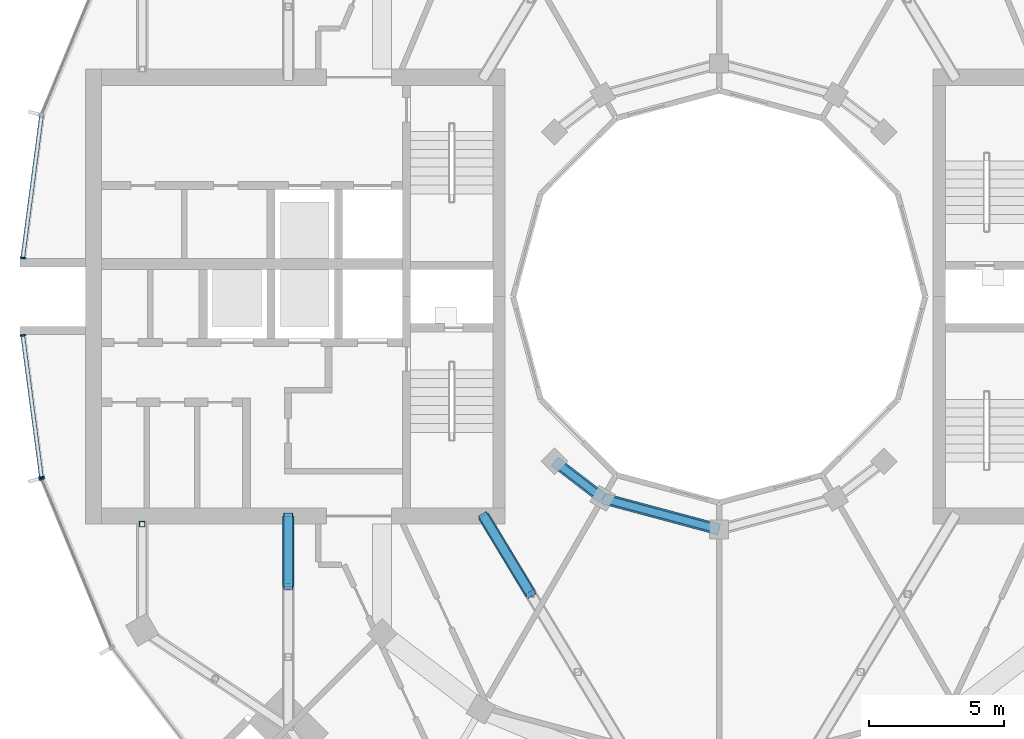
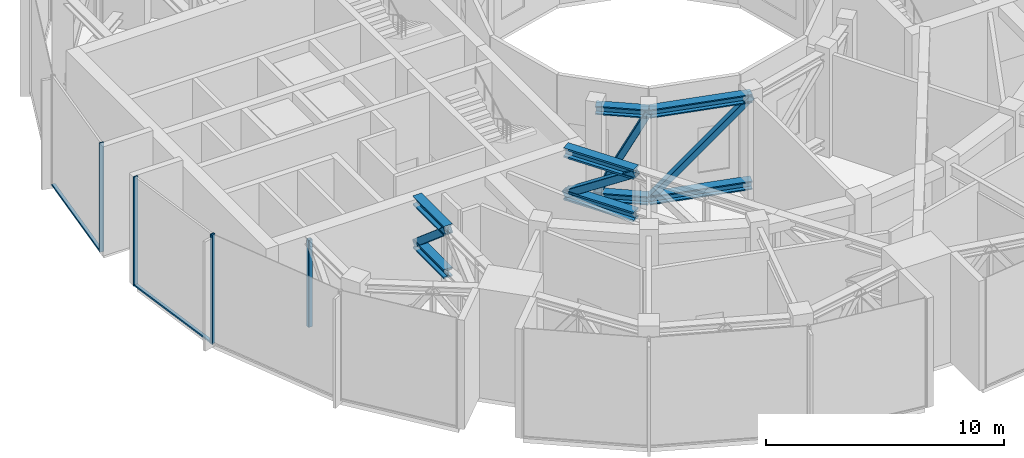
# One storey, part 4 of 18: 19 members, 3 elements without a shape of their own.
"""IFC4 building model written with IfcOpenShell, lengths in metres."""

from ifc_helpers import new_model, si_unit, direction, frame, origin, origin_2d, place, context, subcontext, project, spatial, rectangle, hollow_rectangle, i_section, extrude, material, layer, layer_set, material_profile, profile_set, type_object, element, aggregate, save


model = new_model("IFC4")

# Units and contexts
model_context = context("Model", 3, precision=1e-05, world=origin(), true_north=direction((0.0, 1.0)))
body_context = subcontext(model_context, "Body", "Model", "MODEL_VIEW")
ifc_project = project(units=[si_unit("LENGTHUNIT", "METRE"), si_unit("AREAUNIT", "SQUARE_METRE"), si_unit("VOLUMEUNIT", "CUBIC_METRE"), si_unit("PLANEANGLEUNIT", "RADIAN"), si_unit("MASSUNIT", "GRAM", prefix="KILO")], contexts=[model_context])

# Site, building, storey
site_placement = place(None, origin())
site = spatial("IfcSite", under=ifc_project, at=site_placement, CompositionType="ELEMENT")
building_placement = place(site_placement, origin())
building = spatial("IfcBuilding", under=site, at=building_placement, Name="Torre Brocal", CompositionType="ELEMENT")
storey_placement = place(building_placement, frame((0.0, 0.0, 206.89990234375)))
storey = spatial("IfcBuildingStorey", under=building, at=storey_placement, Name="L48", CompositionType="ELEMENT", Elevation=206.89990234375)

# Member
ifc_material_1 = material(Name="Steel A500 Grade C", Category="steel")
ifc_material_profile_1 = material_profile(ifc_material_1, hollow_rectangle(XDim=0.203125, YDim=0.203125, WallThickness=0.01171875, InnerFilletRadius=0.01171875, OuterFilletRadius=0.023681640625, at=origin_2d()), Name="HSS8X8X1/2")
ifc_profile_set_1 = profile_set([ifc_material_profile_1], Name="Steel A500 Grade C")
member_type_1 = type_object("IfcMemberType", Name="BELT 2 POST HSS8X8X1/2", PredefinedType="POST", material=ifc_profile_set_1)
member_1_placement = place(storey_placement, frame((58.69580078125, 66.60009765625, 0.6171875), z_axis=(0.0, 0.0, 1.0), x_axis=(1.0, 0.0, 0.0)))
element("IfcMember", 1, at=member_1_placement, inside=storey, type_object=member_type_1, Name="Member BT2-P10", PredefinedType="POST", context=body_context, shape_type="SweptSolid", body=[
    extrude(hollow_rectangle(XDim=0.203125, YDim=0.203125, WallThickness=0.01171875, InnerFilletRadius=0.01171875, OuterFilletRadius=0.023681640625, at=origin_2d()), origin(), (0.0, 0.0, 1.0), 4.44580078125),
])

# Curtain wall, member
ifc_material_2 = material(Name="Aluminium and glass", Category="aluminium")
ifc_layer_1 = layer(ifc_material_2, 0.199951171875)
ifc_layer_set_1 = layer_set([ifc_layer_1], Name="Aluminium and glass")
curtain_wall_type_1 = type_object("IfcCurtainWallType", Name="CW-1 CURTAIN WALL 5600 HIGH", PredefinedType="NOTDEFINED", material=ifc_layer_set_1)
curtain_wall_1_placement = place(storey_placement, origin())
curtain_wall_1 = element("IfcCurtainWall", 2, at=curtain_wall_1_placement, inside=storey, type_object=curtain_wall_type_1, Name="CW-1 RUN 14", PredefinedType="NOTDEFINED")
ifc_material_3 = material(Name="Aluminium, dark anodised", Category="aluminium")
ifc_material_profile_2 = material_profile(ifc_material_3, rectangle(XDim=0.199951171875, YDim=0.06005859375, at=origin_2d()), Name="CW-1 MULLION 60X200")
ifc_profile_set_2 = profile_set([ifc_material_profile_2], Name="Aluminium, dark anodised")
member_type_2 = type_object("IfcMemberType", Name="CW-1 MULLION 60X200", PredefinedType="MULLION", material=ifc_profile_set_2)
member_2_placement = place(storey_placement, frame((54.994873046875, 68.26904296875, 0.0), z_axis=(0.0, 0.0, 1.0), x_axis=(0.923879532525, 0.382683432333, 0.0)))
member_2 = element("IfcMember", 3, at=member_2_placement, type_object=member_type_2, Name="CW1-2 mullion 1", PredefinedType="MULLION", context=body_context, shape_type="SweptSolid", body=[
    extrude(rectangle(XDim=0.199951171875, YDim=0.06005859375, at=origin_2d()), origin(), (0.0, 0.0, 1.0), 5.60009765625),
])
aggregate(curtain_wall_1, [member_2])

ifc_material_4 = material(Name="Aluminium and glass", Category="aluminium")
ifc_layer_2 = layer(ifc_material_4, 0.199951171875)
ifc_layer_set_2 = layer_set([ifc_layer_2], Name="Aluminium and glass")
curtain_wall_type_2 = type_object("IfcCurtainWallType", Name="CW-1B CURTAIN WALL 5600 HIGH", PredefinedType="NOTDEFINED", material=ifc_layer_set_2)
curtain_wall_2_placement = place(storey_placement, origin())
curtain_wall_2 = element("IfcCurtainWall", 4, at=curtain_wall_2_placement, inside=storey, type_object=curtain_wall_type_2, Name="CW-1B RUN 12", PredefinedType="NOTDEFINED")
ifc_material_5 = material(Name="Aluminium, dark anodised", Category="aluminium")
ifc_material_profile_3 = material_profile(ifc_material_5, rectangle(XDim=0.199951171875, YDim=0.06005859375, at=origin_2d()), Name="CW-1B MULLION 60X200")
ifc_profile_set_3 = profile_set([ifc_material_profile_3], Name="Aluminium, dark anodised")
member_type_3 = type_object("IfcMemberType", Name="CW-1B MULLION 60X200", PredefinedType="MULLION", material=ifc_profile_set_3)
member_3_placement = place(storey_placement, frame((54.2890625, 76.4296875, 0.0), z_axis=(0.0, 0.0, 1.0), x_axis=(0.991444861374, -0.13052619222, 0.0)))
member_3 = element("IfcMember", 5, at=member_3_placement, type_object=member_type_3, Name="CW1B-2 mullion 2", PredefinedType="MULLION", context=body_context, shape_type="SweptSolid", body=[
    extrude(rectangle(XDim=0.199951171875, YDim=0.06005859375, at=origin_2d()), origin(), (0.0, 0.0, 1.0), 5.60009765625),
])

# Curtain wall, members
curtain_wall_3_placement = place(storey_placement, origin())
curtain_wall_3 = element("IfcCurtainWall", 6, at=curtain_wall_3_placement, inside=storey, type_object=curtain_wall_type_2, Name="CW-1B RUN 13", PredefinedType="NOTDEFINED")
member_4_placement = place(storey_placement, frame((54.2890625, 73.5703125, 0.0), z_axis=(0.0, 0.0, 1.0), x_axis=(0.991444861374, 0.13052619222, 0.0)))
member_4 = element("IfcMember", 7, at=member_4_placement, type_object=member_type_3, Name="CW1B-2 mullion 1", PredefinedType="MULLION", context=body_context, shape_type="SweptSolid", body=[
    extrude(rectangle(XDim=0.199951171875, YDim=0.06005859375, at=origin_2d()), origin(), (0.0, 0.0, 1.0), 5.60009765625),
])
member_5_placement = place(storey_placement, frame((54.9794921875, 68.32666015625, 0.0), z_axis=(0.0, 0.0, 1.0), x_axis=(0.991444861374, 0.13052619222, 0.0)))
member_5 = element("IfcMember", 8, at=member_5_placement, type_object=member_type_3, Name="CW1B-2 mullion 2", PredefinedType="MULLION", context=body_context, shape_type="SweptSolid", body=[
    extrude(rectangle(XDim=0.199951171875, YDim=0.06005859375, at=origin_2d()), origin(), (0.0, 0.0, 1.0), 5.60009765625),
])

# Member
ifc_material_6 = material(Name="Aluminium, dark anodised", Category="aluminium")
ifc_material_profile_4 = material_profile(ifc_material_6, rectangle(XDim=0.159912109375, YDim=0.080078125, at=origin_2d()), Name="CW-1B TRANSOM 160X80")
ifc_profile_set_4 = profile_set([ifc_material_profile_4], Name="Aluminium, dark anodised")
member_type_4 = type_object("IfcMemberType", Name="CW-1B TRANSOM 160X80", PredefinedType="USERDEFINED", material=ifc_profile_set_4)
member_6_placement = place(storey_placement, frame((54.9755859375, 81.643798828125, 0.0400390625), z_axis=(-0.130542677827, -0.991442690863, 0.0), x_axis=(0.991442690863, -0.130542677827, 0.0)))
member_6 = element("IfcMember", 9, at=member_6_placement, type_object=member_type_4, Name="CW1B-2 transom 1.1", ObjectType="TRANSOM", PredefinedType="USERDEFINED", context=body_context, shape_type="SweptSolid", body=[
    extrude(rectangle(XDim=0.159912109375, YDim=0.080078125, at=origin_2d()), origin(), (0.0, 0.0, 1.0), 5.22900390625),
])

aggregate(curtain_wall_2, [member_3, member_6])

member_7_placement = place(storey_placement, frame((54.29296875, 73.54052734375, 0.0400390625), z_axis=(0.130542677827, -0.991442690863, 0.0), x_axis=(0.991442690863, 0.130542677827, 0.0)))
member_7 = element("IfcMember", 10, at=member_7_placement, type_object=member_type_4, Name="CW1B-2 transom 1.1", ObjectType="TRANSOM", PredefinedType="USERDEFINED", context=body_context, shape_type="SweptSolid", body=[
    extrude(rectangle(XDim=0.159912109375, YDim=0.080078125, at=origin_2d()), origin(), (0.0, 0.0, 1.0), 5.22900390625),
])

aggregate(curtain_wall_3, [member_4, member_5, member_7])

# Members
ifc_material_7 = material(Name="Steel A992", Category="steel")
ifc_material_profile_5 = material_profile(ifc_material_7, i_section(OverallWidth=0.41162109375, OverallDepth=0.434326171875, WebThickness=0.035888671875, FlangeThickness=0.057373046875, at=origin_2d()), Name="W14X311")
ifc_profile_set_5 = profile_set([ifc_material_profile_5], Name="Steel A992")
member_type_5 = type_object("IfcMemberType", Name="TRUSS BOTTOM CHORD W14X311", PredefinedType="CHORD", material=ifc_profile_set_5)
member_8_placement = place(storey_placement, frame((73.9189453125, 68.9189453125, 0.6171875), z_axis=(0.793334976885, -0.608785359918, 0.0), x_axis=(0.608785359918, 0.793334976885, 0.0)))
element("IfcMember", 11, at=member_8_placement, inside=storey, type_object=member_type_5, Name="Member BT2-C82", PredefinedType="CHORD", context=body_context, shape_type="SweptSolid", body=[
    extrude(i_section(OverallWidth=0.41162109375, OverallDepth=0.434326171875, WebThickness=0.035888671875, FlangeThickness=0.057373046875, at=origin_2d()), origin(), (0.0, 0.0, 1.0), 2.244873046875),
])
member_9_placement = place(storey_placement, frame((75.699951171875, 67.55224609375, 0.6171875), z_axis=(0.965917450527, -0.25885030185, 0.0), x_axis=(0.25885030185, 0.965917450527, 0.0)))
element("IfcMember", 12, at=member_9_placement, inside=storey, type_object=member_type_5, Name="Member BT2-C84", PredefinedType="CHORD", context=body_context, shape_type="SweptSolid", body=[
    extrude(i_section(OverallWidth=0.41162109375, OverallDepth=0.434326171875, WebThickness=0.035888671875, FlangeThickness=0.057373046875, at=origin_2d()), origin(), (0.0, 0.0, 1.0), 4.45166015625),
])
ifc_material_8 = material(Name="Steel A992", Category="steel")
ifc_material_profile_6 = material_profile(ifc_material_8, i_section(OverallWidth=0.421630859375, OverallDepth=0.46484375, WebThickness=0.044921875, FlangeThickness=0.072509765625, at=origin_2d()), Name="W14X398")
ifc_profile_set_6 = profile_set([ifc_material_profile_6], Name="Steel A992")
member_type_6 = type_object("IfcMemberType", Name="TRUSS BOTTOM CHORD W14X398", PredefinedType="CHORD", material=ifc_profile_set_6)
member_10_placement = place(storey_placement, frame((64.090087890625, 66.89990234375, 2.83251953125), z_axis=(0.0, -1.0, 0.0), x_axis=(1.0, 0.0, 0.0)))
element("IfcMember", 13, at=member_10_placement, inside=storey, type_object=member_type_6, Name="Member OT2-C34", PredefinedType="CHORD", context=body_context, shape_type="SweptSolid", body=[
    extrude(i_section(OverallWidth=0.421630859375, OverallDepth=0.46484375, WebThickness=0.044921875, FlangeThickness=0.072509765625, at=origin_2d()), origin(), (0.0, 0.0, 1.0), 2.603271484375),
])
ifc_material_9 = material(Name="Steel A992", Category="steel")
ifc_material_profile_7 = material_profile(ifc_material_9, i_section(OverallWidth=0.431884765625, OverallDepth=0.497802734375, WebThickness=0.0556640625, FlangeThickness=0.0888671875, at=origin_2d()), Name="W14X500")
ifc_profile_set_7 = profile_set([ifc_material_profile_7], Name="Steel A992")
member_type_7 = type_object("IfcMemberType", Name="TRUSS BOTTOM CHORD W14X500", PredefinedType="CHORD", material=ifc_profile_set_7)
member_11_placement = place(storey_placement, frame((71.300048828125, 66.89990234375, 2.848876953125), z_axis=(0.517128928912, -0.855907513042, 0.0), x_axis=(0.855907513042, 0.517128928912, 0.0)))
element("IfcMember", 14, at=member_11_placement, inside=storey, type_object=member_type_7, Name="Member OT2-C50", PredefinedType="CHORD", context=body_context, shape_type="SweptSolid", body=[
    extrude(i_section(OverallWidth=0.431884765625, OverallDepth=0.497802734375, WebThickness=0.0556640625, FlangeThickness=0.0888671875, at=origin_2d()), origin(), (0.0, 0.0, 1.0), 3.36474609375),
])
ifc_material_10 = material(Name="Steel A500 Grade C", Category="steel")
ifc_material_profile_8 = material_profile(ifc_material_10, hollow_rectangle(XDim=0.3046875, YDim=0.3046875, WallThickness=0.014892578125, InnerFilletRadius=0.014892578125, OuterFilletRadius=0.029541015625, at=origin_2d()), Name="HSS12X12X5/8")
ifc_profile_set_8 = profile_set([ifc_material_profile_8], Name="Steel A500 Grade C")
member_type_8 = type_object("IfcMemberType", Name="TRUSS DIAGONAL HSS12X12X5/8", PredefinedType="BRACE", material=ifc_profile_set_8)
member_12_placement = place(storey_placement, frame((73.9189453125, 68.9189453125, 0.6171875), z_axis=(0.357598585289, -0.274412183749, 0.89264842195), x_axis=(0.608785359918, 0.793334976885, 0.0)))
element("IfcMember", 15, at=member_12_placement, inside=storey, type_object=member_type_8, Name="Member BT2-D41", PredefinedType="BRACE", context=body_context, shape_type="SweptSolid", body=[
    extrude(hollow_rectangle(XDim=0.3046875, YDim=0.3046875, WallThickness=0.014892578125, InnerFilletRadius=0.014892578125, OuterFilletRadius=0.029541015625, at=origin_2d()), origin(), (0.0, 0.0, 1.0), 4.98046875),
])
member_13_placement = place(storey_placement, frame((75.699951171875, 67.55224609375, 0.6171875), z_axis=(0.683465358203, -0.183157695493, 0.706631702316), x_axis=(0.25885030185, 0.965917450527, 0.0)))
element("IfcMember", 16, at=member_13_placement, inside=storey, type_object=member_type_8, Name="Member BT2-D42", PredefinedType="BRACE", context=body_context, shape_type="SweptSolid", body=[
    extrude(hollow_rectangle(XDim=0.3046875, YDim=0.3046875, WallThickness=0.014892578125, InnerFilletRadius=0.014892578125, OuterFilletRadius=0.029541015625, at=origin_2d()), origin(), (0.0, 0.0, 1.0), 6.29150390625),
])
ifc_material_11 = material(Name="Steel A500 Grade C", Category="steel")
ifc_material_profile_9 = material_profile(ifc_material_11, hollow_rectangle(XDim=0.355712890625, YDim=0.355712890625, WallThickness=0.014892578125, InnerFilletRadius=0.014892578125, OuterFilletRadius=0.029541015625, at=origin_2d()), Name="HSS14X14X5/8")
ifc_profile_set_9 = profile_set([ifc_material_profile_9], Name="Steel A500 Grade C")
member_type_9 = type_object("IfcMemberType", Name="TRUSS DIAGONAL HSS14X14X5/8", PredefinedType="BRACE", material=ifc_profile_set_9)
member_14_placement = place(storey_placement, frame((64.090087890625, 66.89990234375, 2.83251953125), z_axis=(0.0, -0.761606141617, 0.648040187836), x_axis=(1.0, 0.0, 0.0)))
element("IfcMember", 17, at=member_14_placement, inside=storey, type_object=member_type_9, Name="Member OT2-D17", PredefinedType="BRACE", context=body_context, shape_type="SweptSolid", body=[
    extrude(hollow_rectangle(XDim=0.355712890625, YDim=0.355712890625, WallThickness=0.014892578125, InnerFilletRadius=0.014892578125, OuterFilletRadius=0.029541015625, at=origin_2d()), origin(), (0.0, 0.0, 1.0), 3.418212890625),
])
member_15_placement = place(storey_placement, frame((71.300048828125, 66.89990234375, 2.848876953125), z_axis=(0.433859584618, -0.718087226063, 0.544165964206), x_axis=(0.855907513042, 0.517128928912, 0.0)))
element("IfcMember", 18, at=member_15_placement, inside=storey, type_object=member_type_9, Name="Member OT2-D25", PredefinedType="BRACE", context=body_context, shape_type="SweptSolid", body=[
    extrude(hollow_rectangle(XDim=0.355712890625, YDim=0.355712890625, WallThickness=0.014892578125, InnerFilletRadius=0.014892578125, OuterFilletRadius=0.029541015625, at=origin_2d()), origin(), (0.0, 0.0, 1.0), 4.010498046875),
])
ifc_material_12 = material(Name="Steel A992", Category="steel")
ifc_material_profile_10 = material_profile(ifc_material_12, i_section(OverallWidth=0.41162109375, OverallDepth=0.434326171875, WebThickness=0.035888671875, FlangeThickness=0.057373046875, at=origin_2d()), Name="W14X311")
ifc_profile_set_10 = profile_set([ifc_material_profile_10], Name="Steel A992")
member_type_10 = type_object("IfcMemberType", Name="TRUSS TOP CHORD W14X311", PredefinedType="CHORD", material=ifc_profile_set_10)
member_16_placement = place(storey_placement, frame((73.9189453125, 68.9189453125, 5.06298828125), z_axis=(0.793334976885, -0.608785359918, 0.0), x_axis=(0.608785359918, 0.793334976885, 0.0)))
element("IfcMember", 19, at=member_16_placement, inside=storey, type_object=member_type_10, Name="Member BT2-C81", PredefinedType="CHORD", context=body_context, shape_type="SweptSolid", body=[
    extrude(i_section(OverallWidth=0.41162109375, OverallDepth=0.434326171875, WebThickness=0.035888671875, FlangeThickness=0.057373046875, at=origin_2d()), origin(), (0.0, 0.0, 1.0), 2.244873046875),
])
member_17_placement = place(storey_placement, frame((75.699951171875, 67.55224609375, 5.06298828125), z_axis=(0.965917450527, -0.25885030185, 0.0), x_axis=(0.25885030185, 0.965917450527, 0.0)))
element("IfcMember", 20, at=member_17_placement, inside=storey, type_object=member_type_10, Name="Member BT2-C83", PredefinedType="CHORD", context=body_context, shape_type="SweptSolid", body=[
    extrude(i_section(OverallWidth=0.41162109375, OverallDepth=0.434326171875, WebThickness=0.035888671875, FlangeThickness=0.057373046875, at=origin_2d()), origin(), (0.0, 0.0, 1.0), 4.45166015625),
])
ifc_material_13 = material(Name="Steel A992", Category="steel")
ifc_material_profile_11 = material_profile(ifc_material_13, i_section(OverallWidth=0.421630859375, OverallDepth=0.46484375, WebThickness=0.044921875, FlangeThickness=0.072509765625, at=origin_2d()), Name="W14X398")
ifc_profile_set_11 = profile_set([ifc_material_profile_11], Name="Steel A992")
member_type_11 = type_object("IfcMemberType", Name="TRUSS TOP CHORD W14X398", PredefinedType="CHORD", material=ifc_profile_set_11)
member_18_placement = place(storey_placement, frame((64.090087890625, 66.89990234375, 5.047607421875), z_axis=(0.0, -1.0, 0.0), x_axis=(1.0, 0.0, 0.0)))
element("IfcMember", 21, at=member_18_placement, inside=storey, type_object=member_type_11, Name="Member OT2-C33", PredefinedType="CHORD", context=body_context, shape_type="SweptSolid", body=[
    extrude(i_section(OverallWidth=0.421630859375, OverallDepth=0.46484375, WebThickness=0.044921875, FlangeThickness=0.072509765625, at=origin_2d()), origin(), (0.0, 0.0, 1.0), 2.603271484375),
])
ifc_material_14 = material(Name="Steel A992", Category="steel")
ifc_material_profile_12 = material_profile(ifc_material_14, i_section(OverallWidth=0.431884765625, OverallDepth=0.497802734375, WebThickness=0.0556640625, FlangeThickness=0.0888671875, at=origin_2d()), Name="W14X500")
ifc_profile_set_12 = profile_set([ifc_material_profile_12], Name="Steel A992")
member_type_12 = type_object("IfcMemberType", Name="TRUSS TOP CHORD W14X500", PredefinedType="CHORD", material=ifc_profile_set_12)
member_19_placement = place(storey_placement, frame((71.300048828125, 66.89990234375, 5.03125), z_axis=(0.517128928912, -0.855907513042, 0.0), x_axis=(0.855907513042, 0.517128928912, 0.0)))
element("IfcMember", 22, at=member_19_placement, inside=storey, type_object=member_type_12, Name="Member OT2-C49", PredefinedType="CHORD", context=body_context, shape_type="SweptSolid", body=[
    extrude(i_section(OverallWidth=0.431884765625, OverallDepth=0.497802734375, WebThickness=0.0556640625, FlangeThickness=0.0888671875, at=origin_2d()), origin(), (0.0, 0.0, 1.0), 3.36474609375),
])

save(model, "model.ifc")
